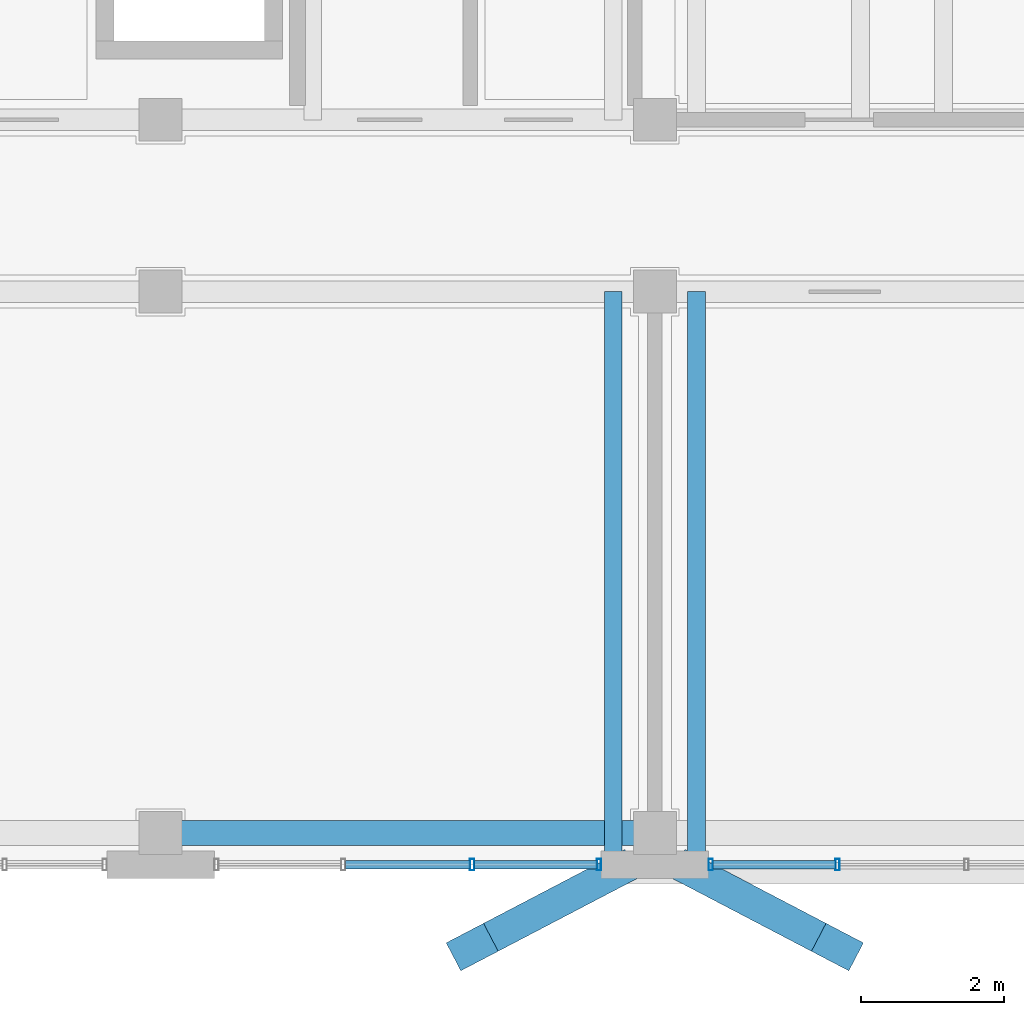
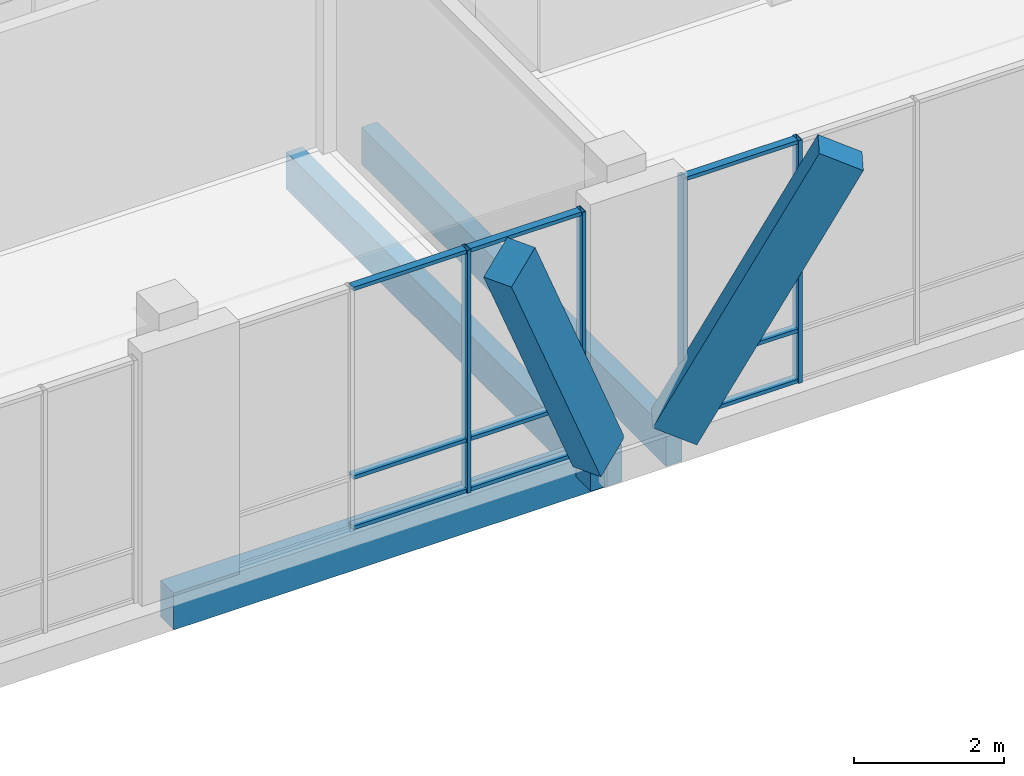
# One storey, part 24 of 233: 15 members, 3 beams, 2 elements without a shape of their own.
"""IFC4 building model written with IfcOpenShell, lengths in metres."""

from ifc_helpers import new_model, si_unit, direction, frame, origin, origin_2d, place, context, subcontext, project, spatial, rectangle, hollow_rectangle, extrude, material, material_profile, profile_set, type_object, element, aggregate, save


model = new_model("IFC4")

# Units and contexts
model_context = context("Model", 3, precision=1e-05, world=origin(), true_north=direction((0.0, 1.0)))
body_context = subcontext(model_context, "Body", "Model", "MODEL_VIEW")
ifc_project = project(units=[si_unit("LENGTHUNIT", "METRE"), si_unit("AREAUNIT", "SQUARE_METRE"), si_unit("VOLUMEUNIT", "CUBIC_METRE"), si_unit("PLANEANGLEUNIT", "RADIAN"), si_unit("MASSUNIT", "GRAM", prefix="KILO")], contexts=[model_context])

# Site, building, storey
site_placement = place(None, origin())
site = spatial("IfcSite", under=ifc_project, at=site_placement, CompositionType="ELEMENT")
building_placement = place(site_placement, origin())
building = spatial("IfcBuilding", under=site, at=building_placement, Name="Zavelmont Quarter", CompositionType="ELEMENT")
storey_placement = place(building_placement, origin())
storey = spatial("IfcBuildingStorey", under=building, at=storey_placement, Name="L00", CompositionType="ELEMENT", Elevation=0.0)

# Beams
ifc_material_1 = material(Name="Concrete C35/45", Category="concrete")
ifc_material_profile_1 = material_profile(ifc_material_1, rectangle(XDim=0.35009765625, YDim=0.60009765625, at=origin_2d()), Name="RC350X600")
ifc_profile_set_1 = profile_set([ifc_material_profile_1], Name="Concrete C35/45")
beam_type_1 = type_object("IfcBeamType", Name="BM01", PredefinedType="SPANDREL", material=ifc_profile_set_1)
beam_placement = place(storey_placement, frame((13.800048828125, 0.43994140625, -0.6201171875), z_axis=(1.0, 0.0, 0.0), x_axis=(0.0, 1.0, 0.0)))
element("IfcBeam", 1, at=beam_placement, inside=storey, type_object=beam_type_1, Name="L00 beam BM01 3/A to 4/A", PredefinedType="SPANDREL", context=body_context, shape_type="SweptSolid", body=[
    extrude(rectangle(XDim=0.35009765625, YDim=0.60009765625, at=origin_2d()), origin(), (0.0, 0.0, 1.0), 6.89990234375),
])
ifc_material_2 = material(Name="Concrete C40/50", Category="concrete")
ifc_material_profile_2 = material_profile(ifc_material_2, rectangle(XDim=0.25, YDim=0.60009765625, at=origin_2d()), Name="RC250X600")
ifc_profile_set_2 = profile_set([ifc_material_profile_2], Name="Concrete C40/50")
beam_type_2 = type_object("IfcBeamType", Name="BM18", PredefinedType="BEAM", material=ifc_profile_set_2)
for number, where, z_axis, x_axis, name in (
    (2, (20.1201171875, 8.0, -0.300048828125), (0.0, -1.0, 0.0), (1.0, 0.0, 0.0), "L00 beam BM18 4/B to 4/A"),
    (3, (21.280029296875, 8.0, -0.300048828125), (0.0, -1.0, 0.0), (1.0, 0.0, 0.0), "L00 beam BM18 4/B to 4/A"),
):
    element("IfcBeam", number, at=place(storey_placement, frame(where, z_axis=z_axis, x_axis=x_axis)), inside=storey, type_object=beam_type_2, Name=name, PredefinedType="BEAM", context=body_context, shape_type="SweptSolid", body=[
        extrude(rectangle(XDim=0.25, YDim=0.60009765625, at=origin_2d()), origin(), (0.0, 0.0, 1.0), 8.1201171875),
    ])

# Curtain wall, members
ifc_material_3 = material(Name="Thermally broken aluminium and double low-E safety glazing", Category="aluminium")
curtain_wall_type = type_object("IfcCurtainWallType", Name="CW-540X395", PredefinedType="NOTDEFINED", material=ifc_material_3)
curtain_wall_1_placement = place(storey_placement, origin())
curtain_wall_1 = element("IfcCurtainWall", 4, at=curtain_wall_1_placement, inside=storey, type_object=curtain_wall_type, Name="L00 unitised curtain wall CW-540X395", PredefinedType="NOTDEFINED")
ifc_material_4 = material(Name="Powder-coated aluminium EN AW-6063-T6", Category="aluminium")
ifc_material_profile_3 = material_profile(ifc_material_4, hollow_rectangle(XDim=0.06005859375, YDim=0.159912109375, WallThickness=0.00390625, at=origin_2d()), Name="CWM60X160")
ifc_profile_set_3 = profile_set([ifc_material_profile_3], Name="Powder-coated aluminium EN AW-6063-T6")
member_type_1 = type_object("IfcMemberType", Name="CWM01", PredefinedType="MULLION", material=ifc_profile_set_3)
member_1_placement = place(storey_placement, frame((18.14990234375, 0.0, 0.0), z_axis=(0.0, 0.0, 1.0), x_axis=(1.0, 0.0, 0.0)))
member_1 = element("IfcMember", 5, at=member_1_placement, type_object=member_type_1, Name="CW-540X395 mullion 3", PredefinedType="MULLION", context=body_context, shape_type="SweptSolid", body=[
    extrude(hollow_rectangle(XDim=0.06005859375, YDim=0.159912109375, WallThickness=0.00390625, at=origin_2d()), origin(), (0.0, 0.0, 1.0), 3.949951171875),
])
member_2_placement = place(storey_placement, frame((19.919921875, 0.0, 0.0), z_axis=(0.0, 0.0, 1.0), x_axis=(1.0, 0.0, 0.0)))
member_2 = element("IfcMember", 6, at=member_2_placement, type_object=member_type_1, Name="CW-540X395 mullion 4", PredefinedType="MULLION", context=body_context, shape_type="SweptSolid", body=[
    extrude(hollow_rectangle(XDim=0.06005859375, YDim=0.159912109375, WallThickness=0.00390625, at=origin_2d()), origin(), (0.0, 0.0, 1.0), 3.949951171875),
])

curtain_wall_2_placement = place(storey_placement, origin())
curtain_wall_2 = element("IfcCurtainWall", 7, at=curtain_wall_2_placement, inside=storey, type_object=curtain_wall_type, Name="L00 unitised curtain wall CW-540X395", PredefinedType="NOTDEFINED")
member_3_placement = place(storey_placement, frame((21.47998046875, 0.0, 0.0), z_axis=(0.0, 0.0, 1.0), x_axis=(1.0, 0.0, 0.0)))
member_3 = element("IfcMember", 8, at=member_3_placement, type_object=member_type_1, Name="CW-540X395 mullion 1", PredefinedType="MULLION", context=body_context, shape_type="SweptSolid", body=[
    extrude(hollow_rectangle(XDim=0.06005859375, YDim=0.159912109375, WallThickness=0.00390625, at=origin_2d()), origin(), (0.0, 0.0, 1.0), 3.949951171875),
])
member_4_placement = place(storey_placement, frame((23.25, 0.0, 0.0), z_axis=(0.0, 0.0, 1.0), x_axis=(1.0, 0.0, 0.0)))
member_4 = element("IfcMember", 9, at=member_4_placement, type_object=member_type_1, Name="CW-540X395 mullion 2", PredefinedType="MULLION", context=body_context, shape_type="SweptSolid", body=[
    extrude(hollow_rectangle(XDim=0.06005859375, YDim=0.159912109375, WallThickness=0.00390625, at=origin_2d()), origin(), (0.0, 0.0, 1.0), 3.949951171875),
])

# Member
ifc_material_profile_4 = material_profile(ifc_material_4, hollow_rectangle(XDim=0.1201171875, YDim=0.06005859375, WallThickness=0.00390625, at=origin_2d()), Name="CWT60X120")
ifc_profile_set_4 = profile_set([ifc_material_profile_4], Name="Powder-coated aluminium EN AW-6063-T6")
member_type_2 = type_object("IfcMemberType", Name="CWT01", PredefinedType="NOTDEFINED", material=ifc_profile_set_4)
member_5_placement = place(storey_placement, frame((16.3798828125, 0.0, 0.030029296875), z_axis=(1.0, 0.0, 0.0), x_axis=(0.0, 1.0, 0.0)))
member_5 = element("IfcMember", 10, at=member_5_placement, type_object=member_type_2, Name="CW-540X395 transom 2.1", ObjectType="TRANSOM", PredefinedType="USERDEFINED", context=body_context, shape_type="SweptSolid", body=[
    extrude(hollow_rectangle(XDim=0.1201171875, YDim=0.06005859375, WallThickness=0.00390625, at=origin_2d()), origin(), (0.0, 0.0, 1.0), 1.740234375),
])

member_6_placement = place(storey_placement, frame((16.3798828125, 0.0, 0.85009765625), z_axis=(1.0, 0.0, 0.0), x_axis=(0.0, 1.0, 0.0)))
member_6 = element("IfcMember", 11, at=member_6_placement, type_object=member_type_2, Name="CW-540X395 transom 2.2", ObjectType="TRANSOM", PredefinedType="USERDEFINED", context=body_context, shape_type="SweptSolid", body=[
    extrude(hollow_rectangle(XDim=0.1201171875, YDim=0.06005859375, WallThickness=0.00390625, at=origin_2d()), origin(), (0.0, 0.0, 1.0), 1.740234375),
])

member_7_placement = place(storey_placement, frame((16.3798828125, 0.0, 3.919921875), z_axis=(1.0, 0.0, 0.0), x_axis=(0.0, 1.0, 0.0)))
member_7 = element("IfcMember", 12, at=member_7_placement, type_object=member_type_2, Name="CW-540X395 transom 2.3", ObjectType="TRANSOM", PredefinedType="USERDEFINED", context=body_context, shape_type="SweptSolid", body=[
    extrude(hollow_rectangle(XDim=0.1201171875, YDim=0.06005859375, WallThickness=0.00390625, at=origin_2d()), origin(), (0.0, 0.0, 1.0), 1.740234375),
])

member_8_placement = place(storey_placement, frame((18.179931640625, 0.0, 0.030029296875), z_axis=(1.0, 0.0, 0.0), x_axis=(0.0, 1.0, 0.0)))
member_8 = element("IfcMember", 13, at=member_8_placement, type_object=member_type_2, Name="CW-540X395 transom 3.1", ObjectType="TRANSOM", PredefinedType="USERDEFINED", context=body_context, shape_type="SweptSolid", body=[
    extrude(hollow_rectangle(XDim=0.1201171875, YDim=0.06005859375, WallThickness=0.00390625, at=origin_2d()), origin(), (0.0, 0.0, 1.0), 1.7099609375),
])

member_9_placement = place(storey_placement, frame((18.179931640625, 0.0, 0.85009765625), z_axis=(1.0, 0.0, 0.0), x_axis=(0.0, 1.0, 0.0)))
member_9 = element("IfcMember", 14, at=member_9_placement, type_object=member_type_2, Name="CW-540X395 transom 3.2", ObjectType="TRANSOM", PredefinedType="USERDEFINED", context=body_context, shape_type="SweptSolid", body=[
    extrude(hollow_rectangle(XDim=0.1201171875, YDim=0.06005859375, WallThickness=0.00390625, at=origin_2d()), origin(), (0.0, 0.0, 1.0), 1.7099609375),
])

member_10_placement = place(storey_placement, frame((18.179931640625, 0.0, 3.919921875), z_axis=(1.0, 0.0, 0.0), x_axis=(0.0, 1.0, 0.0)))
member_10 = element("IfcMember", 15, at=member_10_placement, type_object=member_type_2, Name="CW-540X395 transom 3.3", ObjectType="TRANSOM", PredefinedType="USERDEFINED", context=body_context, shape_type="SweptSolid", body=[
    extrude(hollow_rectangle(XDim=0.1201171875, YDim=0.06005859375, WallThickness=0.00390625, at=origin_2d()), origin(), (0.0, 0.0, 1.0), 1.7099609375),
])

aggregate(curtain_wall_1, [member_1, member_2, member_5, member_6, member_7, member_8, member_9, member_10])

member_11_placement = place(storey_placement, frame((21.510009765625, 0.0, 0.030029296875), z_axis=(1.0, 0.0, 0.0), x_axis=(0.0, 1.0, 0.0)))
member_11 = element("IfcMember", 16, at=member_11_placement, type_object=member_type_2, Name="CW-540X395 transom 1.1", ObjectType="TRANSOM", PredefinedType="USERDEFINED", context=body_context, shape_type="SweptSolid", body=[
    extrude(hollow_rectangle(XDim=0.1201171875, YDim=0.06005859375, WallThickness=0.00390625, at=origin_2d()), origin(), (0.0, 0.0, 1.0), 1.7099609375),
])

member_12_placement = place(storey_placement, frame((21.510009765625, 0.0, 0.85009765625), z_axis=(1.0, 0.0, 0.0), x_axis=(0.0, 1.0, 0.0)))
member_12 = element("IfcMember", 17, at=member_12_placement, type_object=member_type_2, Name="CW-540X395 transom 1.2", ObjectType="TRANSOM", PredefinedType="USERDEFINED", context=body_context, shape_type="SweptSolid", body=[
    extrude(hollow_rectangle(XDim=0.1201171875, YDim=0.06005859375, WallThickness=0.00390625, at=origin_2d()), origin(), (0.0, 0.0, 1.0), 1.7099609375),
])

member_13_placement = place(storey_placement, frame((21.510009765625, 0.0, 3.919921875), z_axis=(1.0, 0.0, 0.0), x_axis=(0.0, 1.0, 0.0)))
member_13 = element("IfcMember", 18, at=member_13_placement, type_object=member_type_2, Name="CW-540X395 transom 1.3", ObjectType="TRANSOM", PredefinedType="USERDEFINED", context=body_context, shape_type="SweptSolid", body=[
    extrude(hollow_rectangle(XDim=0.1201171875, YDim=0.06005859375, WallThickness=0.00390625, at=origin_2d()), origin(), (0.0, 0.0, 1.0), 1.7099609375),
])

aggregate(curtain_wall_2, [member_3, member_4, member_11, member_12, member_13])

# Members
ifc_material_5 = material(Name="White architectural precast concrete C40/50", Category="concrete")
ifc_material_profile_5 = material_profile(ifc_material_5, rectangle(XDim=0.43994140625, YDim=0.659912109375, at=origin_2d()), Name="PCR320X480")
ifc_profile_set_5 = profile_set([ifc_material_profile_5], Name="White architectural precast concrete C40/50")
member_type_3 = type_object("IfcMemberType", Name="VR01M", PredefinedType="CHORD", material=ifc_profile_set_5)
for number, where, z_axis, x_axis, name in (
    (19, (20.1201171875, -0.1201171875, 0.0), (-0.399583899056, -0.208904918966, 0.892575734852), (0.463309106647, -0.886196745479, 0.0), "L00 member VR01M 4/A to 4/A"),
    (20, (21.280029296875, -0.1201171875, 0.0), (0.399542278656, -0.208909053102, 0.89259339853), (0.463354209265, 0.886173164092, 0.0), "L00 member VR01M 4/A to 4/A"),
):
    element("IfcMember", number, at=place(storey_placement, frame(where, z_axis=z_axis, x_axis=x_axis)), inside=storey, type_object=member_type_3, Name=name, PredefinedType="CHORD", context=body_context, shape_type="SweptSolid", body=[
        extrude(rectangle(XDim=0.43994140625, YDim=0.659912109375, at=origin_2d()), origin(), (0.0, 0.0, 1.0), 4.929443359375),
    ])

save(model, "model.ifc")
